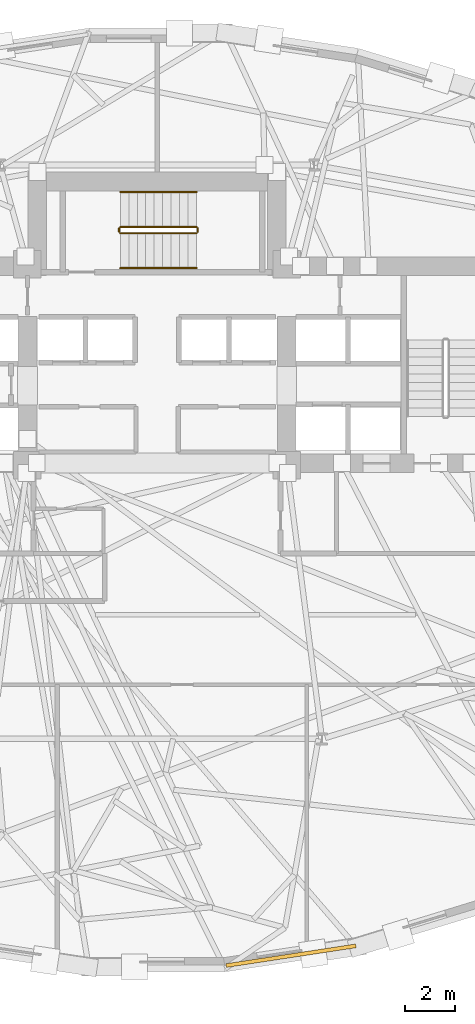
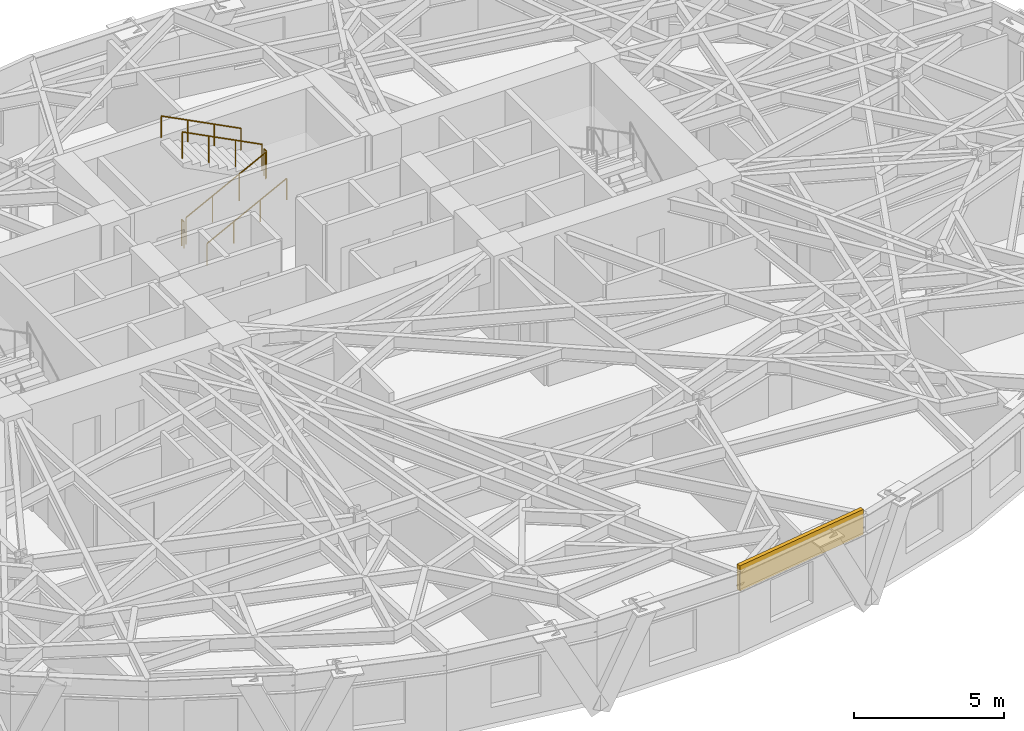
# One storey, part 12 of 14: 6 railings, 1 covering.
"""IFC4 building model written with IfcOpenShell, lengths in metres."""

from ifc_helpers import new_model, si_unit, direction, frame, origin, origin_2d, place, context, subcontext, project, spatial, rectangle, circle, extrude, material, layer, layer_set, type_object, element, save


model = new_model("IFC4")

# Units and contexts
model_context = context("Model", 3, precision=1e-05, world=origin(), true_north=direction((0.0, 1.0)))
body_context = subcontext(model_context, "Body", "Model", "MODEL_VIEW")
ifc_project = project(units=[si_unit("LENGTHUNIT", "METRE"), si_unit("AREAUNIT", "SQUARE_METRE"), si_unit("VOLUMEUNIT", "CUBIC_METRE"), si_unit("PLANEANGLEUNIT", "RADIAN"), si_unit("MASSUNIT", "GRAM", prefix="KILO")], contexts=[model_context])

# Site, building, storey
site_placement = place(None, origin())
site = spatial("IfcSite", under=ifc_project, at=site_placement, CompositionType="ELEMENT")
building_placement = place(site_placement, origin())
building = spatial("IfcBuilding", under=site, at=building_placement, Name="Keldmark Tower", CompositionType="ELEMENT")
storey_placement = place(building_placement, frame((0.0, 0.0, 103.60009765625)))
storey = spatial("IfcBuildingStorey", under=building, at=storey_placement, Name="L27", CompositionType="ELEMENT", Elevation=103.60009765625)

# Covering
ifc_material_1 = material(Name="Honed Kasota Buff Dolomitic Limestone", Category="masonry")
ifc_layer = layer(ifc_material_1, 0.074951171875)
ifc_layer_set = layer_set([ifc_layer], Name="Honed Kasota Buff Dolomitic Limestone")
covering_type = type_object("IfcCoveringType", Name="Kasota Buff Limestone Spandrel Cladding Band", PredefinedType="CLADDING", material=ifc_layer_set)
covering_placement = place(storey_placement, frame((5.37109375, -18.275146484375, 2.45166015625), z_axis=(0.0, 0.0, 1.0), x_axis=(0.988622885275, 0.15041539386, 0.0)))
element("IfcCovering", 1, at=covering_placement, inside=storey, type_object=covering_type, Name="L27 Kasota Limestone Spandrel Band 25", PredefinedType="CLADDING", context=body_context, shape_type="SweptSolid", body=[
    extrude(rectangle(XDim=5.257080078125, YDim=0.14990234375, at=origin_2d()), origin(), (0.0, 0.0, 1.0), 1.028076171875),
])

# Railings
ifc_material_2 = material(Name="Painted Steel ASTM A500 Grade B", Category="steel")
railing_type_1 = type_object("IfcRailingType", Name="Painted Steel Stair Well Guard 1100 mm", PredefinedType="GUARDRAIL", material=ifc_material_2)
railing_1_placement = place(storey_placement, frame((-1.47509765625, 10.699951171875, 0.1748046875)))
element("IfcRailing", 2, at=railing_1_placement, inside=storey, type_object=railing_type_1, Name="L27 ST3 stair guard 1", PredefinedType="GUARDRAIL", context=body_context, shape_type="SweptSolid", body=[
    extrude(circle(Radius=0.02392578125, at=origin_2d()), frame((0.0, 0.0, 1.076171875), z_axis=(0.889116283586, 0.0, 0.457681367616), x_axis=(0.0, 1.0, 0.0)), (0.0, 0.0, 1.0), 3.441650390625),
    extrude(circle(Radius=0.02099609375, at=origin_2d()), origin(), (0.0, 0.0, 1.0), 1.052001953125),
    extrude(circle(Radius=0.02099609375, at=origin_2d()), frame((1.02001953125, 0.0, 0.525146484375)), (0.0, 0.0, 1.0), 1.052001953125),
    extrude(circle(Radius=0.02099609375, at=origin_2d()), frame((2.0400390625, 0.0, 1.050048828125)), (0.0, 0.0, 1.0), 1.052001953125),
    extrude(circle(Radius=0.02099609375, at=origin_2d()), frame((3.06005859375, 0.0, 1.5751953125)), (0.0, 0.0, 1.0), 1.052001953125),
])
railing_2_placement = place(storey_placement, frame((1.635009765625, 10.75, 1.75)))
element("IfcRailing", 3, at=railing_2_placement, inside=storey, type_object=railing_type_1, Name="L27 ST3 stair guard 2", PredefinedType="GUARDRAIL", context=body_context, shape_type="SweptSolid", body=[
    extrude(circle(Radius=0.02392578125, at=origin_2d()), frame((0.0, 0.0, 1.076171875), z_axis=(0.0, 1.0, 0.0), x_axis=(-1.0, 0.0, 0.0)), (0.0, 0.0, 1.0), 0.14990234375),
    extrude(circle(Radius=0.02099609375, at=origin_2d()), origin(), (0.0, 0.0, 1.0), 1.052001953125),
    extrude(circle(Radius=0.02099609375, at=origin_2d()), frame((0.0, 0.14990234375, 0.0)), (0.0, 0.0, 1.0), 1.052001953125),
])
railing_3_placement = place(storey_placement, frame((1.5849609375, 10.949951171875, 1.9248046875)))
element("IfcRailing", 4, at=railing_3_placement, inside=storey, type_object=railing_type_1, Name="L27 ST3 stair guard 3", PredefinedType="GUARDRAIL", context=body_context, shape_type="SweptSolid", body=[
    extrude(circle(Radius=0.02392578125, at=origin_2d()), frame((0.0, 0.0, 1.076171875), z_axis=(-0.889116283586, 0.0, 0.457681367616), x_axis=(0.0, -1.0, 0.0)), (0.0, 0.0, 1.0), 3.441650390625),
    extrude(circle(Radius=0.02099609375, at=origin_2d()), origin(), (0.0, 0.0, 1.0), 1.052001953125),
    extrude(circle(Radius=0.02099609375, at=origin_2d()), frame((-1.02001953125, 0.0, 0.525146484375)), (0.0, 0.0, 1.0), 1.052001953125),
    extrude(circle(Radius=0.02099609375, at=origin_2d()), frame((-2.0400390625, 0.0, 1.050048828125)), (0.0, 0.0, 1.0), 1.052001953125),
    extrude(circle(Radius=0.02099609375, at=origin_2d()), frame((-3.06005859375, 0.0, 1.5751953125)), (0.0, 0.0, 1.0), 1.052001953125),
])
railing_4_placement = place(storey_placement, frame((-1.52490234375, 10.75, 0.0)))
element("IfcRailing", 5, at=railing_4_placement, inside=storey, type_object=railing_type_1, Name="L27 ST3 stair guard 4", PredefinedType="GUARDRAIL", context=body_context, shape_type="SweptSolid", body=[
    extrude(circle(Radius=0.02392578125, at=origin_2d()), frame((0.0, 0.0, 1.076171875), z_axis=(0.0, 1.0, 0.0), x_axis=(-1.0, 0.0, 0.0)), (0.0, 0.0, 1.0), 0.14990234375),
    extrude(circle(Radius=0.02099609375, at=origin_2d()), origin(), (0.0, 0.0, 1.0), 1.052001953125),
    extrude(circle(Radius=0.02099609375, at=origin_2d()), frame((0.0, 0.14990234375, 0.0)), (0.0, 0.0, 1.0), 1.052001953125),
])
ifc_material_3 = material(Name="Stainless Steel AISI 316L", Category="steel")
railing_type_2 = type_object("IfcRailingType", Name="Stainless Steel Stair Handrail 900 mm", PredefinedType="HANDRAIL", material=ifc_material_3)
railing_5_placement = place(storey_placement, frame((-1.47509765625, 9.300048828125, 0.1748046875)))
element("IfcRailing", 6, at=railing_5_placement, inside=storey, type_object=railing_type_2, Name="L27 ST3 stair handrail 1", PredefinedType="HANDRAIL", context=body_context, shape_type="SweptSolid", body=[
    extrude(circle(Radius=0.02392578125, at=origin_2d()), frame((0.0, 0.0, 0.8759765625), z_axis=(0.889116283586, 0.0, 0.457681367616), x_axis=(0.0, 1.0, 0.0)), (0.0, 0.0, 1.0), 3.441650390625),
    extrude(circle(Radius=0.02099609375, at=origin_2d()), origin(), (0.0, 0.0, 1.0), 0.851806640625),
    extrude(circle(Radius=0.02099609375, at=origin_2d()), frame((1.02001953125, 0.0, 0.525146484375)), (0.0, 0.0, 1.0), 0.851806640625),
    extrude(circle(Radius=0.02099609375, at=origin_2d()), frame((2.0400390625, 0.0, 1.050048828125)), (0.0, 0.0, 1.0), 0.851806640625),
    extrude(circle(Radius=0.02099609375, at=origin_2d()), frame((3.06005859375, 0.0, 1.5751953125)), (0.0, 0.0, 1.0), 0.851806640625),
])
railing_6_placement = place(storey_placement, frame((1.5849609375, 12.35009765625, 1.9248046875)))
element("IfcRailing", 7, at=railing_6_placement, inside=storey, type_object=railing_type_2, Name="L27 ST3 stair handrail 2", PredefinedType="HANDRAIL", context=body_context, shape_type="SweptSolid", body=[
    extrude(circle(Radius=0.02392578125, at=origin_2d()), frame((0.0, 0.0, 0.8759765625), z_axis=(-0.889116283586, 0.0, 0.457681367616), x_axis=(0.0, -1.0, 0.0)), (0.0, 0.0, 1.0), 3.441650390625),
    extrude(circle(Radius=0.02099609375, at=origin_2d()), origin(), (0.0, 0.0, 1.0), 0.851806640625),
    extrude(circle(Radius=0.02099609375, at=origin_2d()), frame((-1.02001953125, 0.0, 0.525146484375)), (0.0, 0.0, 1.0), 0.851806640625),
    extrude(circle(Radius=0.02099609375, at=origin_2d()), frame((-2.0400390625, 0.0, 1.050048828125)), (0.0, 0.0, 1.0), 0.851806640625),
    extrude(circle(Radius=0.02099609375, at=origin_2d()), frame((-3.06005859375, 0.0, 1.5751953125)), (0.0, 0.0, 1.0), 0.851806640625),
])

save(model, "model.ifc")
